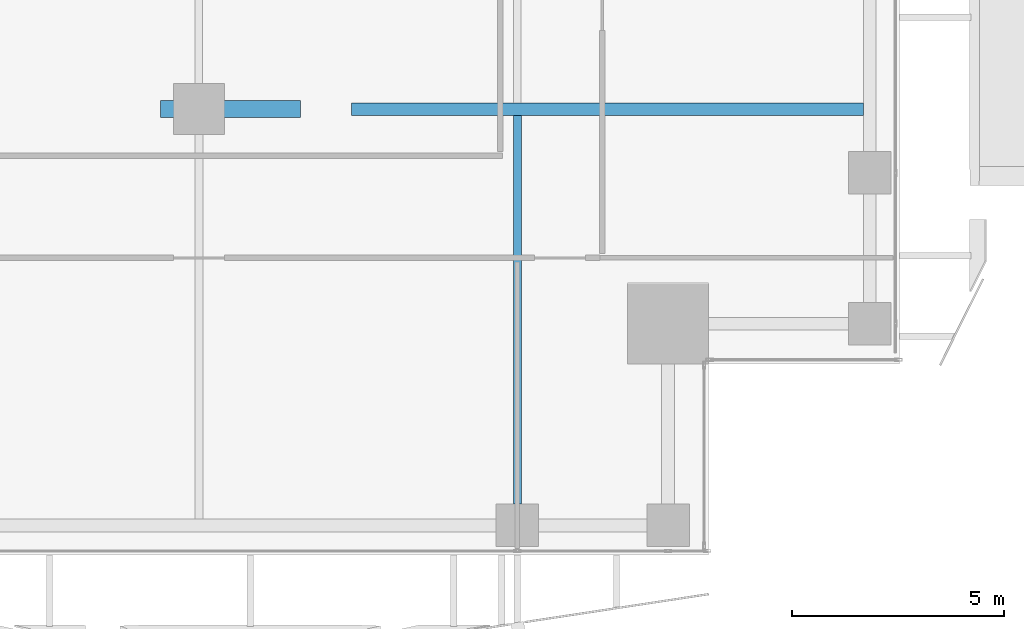
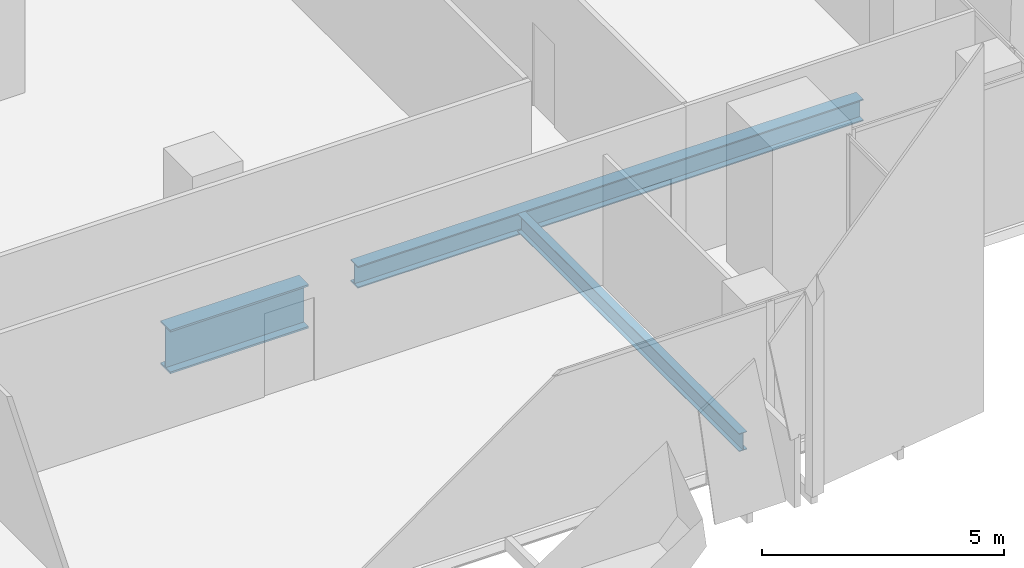
# One storey, part 10 of 35: 3 beams.
"""IFC4 building model written with IfcOpenShell, lengths in metres."""

import ifcopenshell
import ifcopenshell.guid

model = None  # the IFC model being written
_history = None  # IfcOwnerHistory: only IFC2X3 demands one
_inside = {}  # id of a spatial element -> (the spatial element, [elements in it])
_under = {}  # id of a project, library or spatial element -> (it, [spatial elements below it])
_declared = {}  # id of a project -> (the project, [libraries it declares])
_typed = {}  # id of a type object -> (the type object, [elements of that type])
_made_of = {}  # id of a material, layer set ... -> (it, [elements and type objects made of it])


def new_model(schema):
    """Start an empty IFC model of exactly this schema.

    Asked for "IFC4X3", IfcOpenShell would pick the latest addendum, in which some entities
    have other attributes; the version numbers below select the first issue.
    IFC2X3 requires an IfcOwnerHistory on every rooted entity: one is made here for all.
    """
    global model, _history
    if schema == "IFC4X3":
        model = ifcopenshell.file(schema_version=(4, 3, 0, 0))
    else:
        model = ifcopenshell.file(schema=schema)
    _inside.clear()
    _under.clear()
    _declared.clear()
    _typed.clear()
    _made_of.clear()
    _history = None
    if model.schema == "IFC2X3":
        org = make("IfcOrganization", Name="unknown")
        user = make(
            "IfcPersonAndOrganization",
            ThePerson=make("IfcPerson", FamilyName="unknown"),
            TheOrganization=org,
        )
        app = make(
            "IfcApplication",
            ApplicationDeveloper=org,
            Version="unknown",
            ApplicationFullName="unknown",
            ApplicationIdentifier="unknown",
        )
        _history = make(
            "IfcOwnerHistory",
            OwningUser=user,
            OwningApplication=app,
            ChangeAction="ADDED",
            CreationDate=0,
        )
    return model


def make(cls, **values):
    """One entity of the class cls with the attributes given. An attribute that is None is left unset."""
    return model.create_entity(
        cls, **{name: value for name, value in values.items() if value is not None}
    )


def rooted(cls, **values):
    """An entity with a GlobalId (a new one), such as an element, a storey or a relation."""
    return make(cls, GlobalId=ifcopenshell.guid.new(), OwnerHistory=_history, **values)


def si_unit(unit_type, name, prefix=None):
    """IfcSIUnit, for example si_unit("LENGTHUNIT", "METRE", prefix="MILLI")."""
    return make("IfcSIUnit", UnitType=unit_type, Prefix=prefix, Name=name)


def assignment(units):
    """IfcUnitAssignment: the units of a project."""
    return None if units is None else make("IfcUnitAssignment", Units=units)


def point(xyz):
    """IfcCartesianPoint."""
    return None if xyz is None else make("IfcCartesianPoint", Coordinates=xyz)


def direction(xyz):
    """IfcDirection."""
    return None if xyz is None else make("IfcDirection", DirectionRatios=xyz)


def frame(location, z_axis=None, x_axis=None):
    """IfcAxis2Placement3D, a coordinate frame: its origin and axes. An axis left out is left unset."""
    return make(
        "IfcAxis2Placement3D",
        Location=point(location),
        Axis=direction(z_axis),
        RefDirection=direction(x_axis),
    )


def frame_2d(location, x_axis=None):
    """IfcAxis2Placement2D, a coordinate frame in the plane: its origin and x axis."""
    return make(
        "IfcAxis2Placement2D", Location=point(location), RefDirection=direction(x_axis)
    )


def origin():
    """The frame at (0, 0, 0) with its axes left unset."""
    return frame((0.0, 0.0, 0.0))


def origin_2d():
    """The frame at (0, 0) in the plane with its x axis left unset."""
    return frame_2d((0.0, 0.0))


def place(relative_to, where):
    """IfcLocalPlacement: puts the frame where relative to a parent placement (None: the world)."""
    return make(
        "IfcLocalPlacement", PlacementRelTo=relative_to, RelativePlacement=where
    )


def context(
    kind, dimensions, precision=None, world=None, true_north=None, identifier=None
):
    """IfcGeometricRepresentationContext, for example the 3D "Model" context."""
    return make(
        "IfcGeometricRepresentationContext",
        ContextIdentifier=identifier,
        ContextType=kind,
        CoordinateSpaceDimension=dimensions,
        Precision=precision,
        WorldCoordinateSystem=world,
        TrueNorth=true_north,
    )


def subcontext(parent, identifier, kind, view, scale=None):
    """IfcGeometricRepresentationSubContext, for example "Body" below "Model"."""
    return make(
        "IfcGeometricRepresentationSubContext",
        ContextIdentifier=identifier,
        ContextType=kind,
        ParentContext=parent,
        TargetScale=scale,
        TargetView=view,
    )


def project(units=None, contexts=None):
    """IfcProject with its units and contexts."""
    return rooted(
        "IfcProject",
        Name="project",
        RepresentationContexts=contexts,
        UnitsInContext=assignment(units),
    )


def spatial(cls, under=None, at=None, **own):
    """A site, building, storey or space (cls), placed at a placement, below another one or the project."""
    s = rooted(cls, ObjectPlacement=at, **own)
    if under is not None:
        _under.setdefault(under.id(), (under, []))[1].append(s)
    return s


def profile(cls, at=None, kind="AREA", **sizes):
    """A parametric profile (cls). Its sizes go by their IFC names, for example OverallWidth=200.0."""
    return make(cls, ProfileType=kind, Position=at, **sizes)


def i_section(**sizes):
    """IfcIShapeProfileDef."""
    return profile("IfcIShapeProfileDef", **sizes)


def extrude(swept, where, along, depth):
    """IfcExtrudedAreaSolid: the profile swept, set in the frame where, extruded along a direction by depth."""
    return make(
        "IfcExtrudedAreaSolid",
        SweptArea=swept,
        Position=where,
        ExtrudedDirection=direction(along),
        Depth=depth,
    )


def shape(context_of_items, identifier, shape_type, items):
    """IfcShapeRepresentation: the items that make up one representation, for example the "Body"."""
    return make(
        "IfcShapeRepresentation",
        ContextOfItems=context_of_items,
        RepresentationIdentifier=identifier,
        RepresentationType=shape_type,
        Items=items,
    )


def source(mapping_origin, context_of_items, identifier, shape_type, items):
    """IfcRepresentationMap: a shape defined once, which mapped items show again and again."""
    return make(
        "IfcRepresentationMap",
        MappingOrigin=mapping_origin,
        MappedRepresentation=shape(context_of_items, identifier, shape_type, items),
    )


def transform(
    local_origin,
    x_axis=None,
    y_axis=None,
    z_axis=None,
    scale=None,
    scale2=None,
    scale3=None,
    uniform=True,
):
    """IfcCartesianTransformationOperator3D, or its non-uniform kind. x_axis, y_axis, z_axis: its Axis1, 2, 3."""
    if uniform:
        return make(
            "IfcCartesianTransformationOperator3D",
            Axis1=direction(x_axis),
            Axis2=direction(y_axis),
            LocalOrigin=point(local_origin),
            Scale=scale,
            Axis3=direction(z_axis),
        )
    return make(
        "IfcCartesianTransformationOperator3DnonUniform",
        Axis1=direction(x_axis),
        Axis2=direction(y_axis),
        LocalOrigin=point(local_origin),
        Scale=scale,
        Axis3=direction(z_axis),
        Scale2=scale2,
        Scale3=scale3,
    )


def mapped(mapping_source, mapping_target):
    """IfcMappedItem: shows the shape of a source again, moved by a transform."""
    return make(
        "IfcMappedItem", MappingSource=mapping_source, MappingTarget=mapping_target
    )


def material(Name=None, Category=None):
    """IfcMaterial."""
    return make("IfcMaterial", Name=Name, Category=Category)


def material_profile(
    of_material, cross_section, Name=None, Category=None, Priority=None
):
    """IfcMaterialProfile: a cross section and its material."""
    return make(
        "IfcMaterialProfile",
        Name=Name,
        Material=of_material,
        Profile=cross_section,
        Priority=Priority,
        Category=Category,
    )


def profile_set(profiles, Name=None, composite=None):
    """IfcMaterialProfileSet."""
    return make(
        "IfcMaterialProfileSet",
        Name=Name,
        MaterialProfiles=profiles,
        CompositeProfile=composite,
    )


def made_of(thing, what):
    """Note that an element or type object is made of a material, layer set ...; save() writes the relation."""
    if what is not None:
        _made_of.setdefault(what.id(), (what, []))[1].append(thing)
    return thing


def type_object(cls, material=None, **own):
    """A type object (cls), such as IfcWallType, which elements share."""
    return made_of(rooted(cls, **own), material)


def element(
    cls,
    number,
    at=None,
    inside=None,
    cuts=None,
    type_object=None,
    material=None,
    context=None,
    identifier="Body",
    shape_type=None,
    held_by="IfcProductDefinitionShape",
    body=None,
    shapes=None,
    **own,
):
    """One element of the class cls, such as IfcWall. Its Tag is "e" and its number.

    at: its placement. inside: the storey or other place that contains it. cuts: it is an
    opening in that element (IfcRelVoidsElement). A single representation is given by context,
    identifier, shape_type and body (its items); several are given by shapes. held_by: the class
    of the entity that holds the representations. save() writes the other relations.
    """
    e = rooted(cls, Tag="e%d" % number, ObjectPlacement=at, **own)
    if body is not None:
        shapes = [shape(context, identifier, shape_type, body)]
    if shapes is not None:
        e.Representation = make(held_by, Representations=shapes)
    if inside is not None:
        _inside.setdefault(inside.id(), (inside, []))[1].append(e)
    if cuts is not None:
        rooted(
            "IfcRelVoidsElement", RelatingBuildingElement=cuts, RelatedOpeningElement=e
        )
    if type_object is not None:
        _typed.setdefault(type_object.id(), (type_object, []))[1].append(e)
    return made_of(e, material)


def aggregate(whole, parts):
    """IfcRelAggregates: a whole, such as a stair, and the parts it consists of."""
    return rooted("IfcRelAggregates", RelatingObject=whole, RelatedObjects=parts)


def save(model, path):
    """Write the relations noted so far, then the file.

    IfcRelAggregates (storeys below a building ...), IfcRelContainedInSpatialStructure (elements
    in a storey), IfcRelDefinesByType, IfcRelAssociatesMaterial and IfcRelDeclares: one each for
    every whole, place, type object, material and project.
    """
    for whole, parts in _under.values():
        aggregate(whole, parts)
    for where, things in _inside.values():
        rooted(
            "IfcRelContainedInSpatialStructure",
            RelatedElements=things,
            RelatingStructure=where,
        )
    for kind, things in _typed.values():
        rooted("IfcRelDefinesByType", RelatedObjects=things, RelatingType=kind)
    for what, things in _made_of.values():
        rooted("IfcRelAssociatesMaterial", RelatedObjects=things, RelatingMaterial=what)
    for by, libraries in _declared.values():
        rooted("IfcRelDeclares", RelatingContext=by, RelatedDefinitions=libraries)
    model.write(path)


model = new_model("IFC4")

# Units and contexts
model_context = context("Model", 3, precision=1e-05, world=origin(), true_north=direction((0.0, 1.0)))
body_context = subcontext(model_context, "Body", "Model", "MODEL_VIEW")
ifc_project = project(units=[si_unit("LENGTHUNIT", "METRE"), si_unit("AREAUNIT", "SQUARE_METRE"), si_unit("VOLUMEUNIT", "CUBIC_METRE"), si_unit("PLANEANGLEUNIT", "RADIAN"), si_unit("MASSUNIT", "GRAM", prefix="KILO")], contexts=[model_context])

# Site, building, storey
site_placement = place(None, origin())
site = spatial("IfcSite", under=ifc_project, at=site_placement, CompositionType="ELEMENT")
building_placement = place(site_placement, origin())
building = spatial("IfcBuilding", under=site, at=building_placement, Name="Khomas Fold Tower", CompositionType="ELEMENT")
storey_placement = place(building_placement, frame((0.0, 0.0, 188.699951171875)))
storey = spatial("IfcBuildingStorey", under=building, at=storey_placement, Name="L41", CompositionType="ELEMENT", Elevation=188.699951171875)

# Beams
ifc_material_1 = material(Name="Steel S355", Category="steel")
ifc_material_profile_1 = material_profile(ifc_material_1, i_section(OverallWidth=0.300048828125, OverallDepth=0.550048828125, WebThickness=0.014892578125, FlangeThickness=0.029052734375, at=origin_2d()), Name="HE 550 B")
ifc_profile_set_1 = profile_set([ifc_material_profile_1], Name="Steel S355")
beam_type_1 = type_object("IfcBeamType", Name="HE 550 B beam GB4", PredefinedType="BEAM", material=ifc_profile_set_1)
shared_shape_1 = source(origin(), body_context, "Body", "SweptSolid", [
    extrude(i_section(OverallWidth=0.300048828125, OverallDepth=0.550048828125, WebThickness=0.014892578125, FlangeThickness=0.029052734375, at=origin_2d()), origin(), (0.0, 0.0, 1.0), 12.0498046875),
])
beam_1_placement = place(storey_placement, frame((38.10009765625, 13.5, -0.52490234375), z_axis=(1.0, 0.0, 0.0), x_axis=(0.0, 1.0, 0.0)))
element("IfcBeam", 1, at=beam_1_placement, inside=storey, type_object=beam_type_1, Name="GB4", PredefinedType="BEAM", context=body_context, shape_type="MappedRepresentation", body=[
    mapped(shared_shape_1, transform((0.0, 0.0, 0.0))),
])
ifc_material_2 = material(Name="Steel S355", Category="steel")
ifc_material_profile_2 = material_profile(ifc_material_2, i_section(OverallWidth=0.18994140625, OverallDepth=0.449951171875, WebThickness=0.009521484375, FlangeThickness=0.0146484375, at=origin_2d()), Name="IPE 450")
ifc_profile_set_2 = profile_set([ifc_material_profile_2], Name="Steel S355")
beam_type_2 = type_object("IfcBeamType", Name="IPE 450 beam JB4", PredefinedType="BEAM", material=ifc_profile_set_2)
shared_shape_2 = source(origin(), body_context, "Body", "SweptSolid", [
    extrude(i_section(OverallWidth=0.18994140625, OverallDepth=0.449951171875, WebThickness=0.009521484375, FlangeThickness=0.0146484375, at=origin_2d()), origin(), (0.0, 0.0, 1.0), 9.150146484375),
])
beam_2_placement = place(storey_placement, frame((42.0, 4.199951171875, -0.474853515625), z_axis=(0.0, 1.0, 0.0), x_axis=(-1.0, 0.0, 0.0)))
element("IfcBeam", 2, at=beam_2_placement, inside=storey, type_object=beam_type_2, Name="JB4", PredefinedType="BEAM", context=body_context, shape_type="MappedRepresentation", body=[
    mapped(shared_shape_2, transform((0.0, 0.0, 0.0))),
])
ifc_material_3 = material(Name="Steel S460M", Category="steel")
ifc_material_profile_3 = material_profile(ifc_material_3, i_section(OverallWidth=0.39990234375, OverallDepth=1.10009765625, WebThickness=0.02197265625, FlangeThickness=0.044921875, at=origin_2d()), Name="PG 1100x400")
ifc_profile_set_3 = profile_set([ifc_material_profile_3], Name="Steel S460M")
beam_type_3 = type_object("IfcBeamType", Name="PG 1100x400 beam TG1", PredefinedType="BEAM", material=ifc_profile_set_3)
shared_shape_3 = source(origin(), body_context, "Body", "SweptSolid", [
    extrude(i_section(OverallWidth=0.39990234375, OverallDepth=1.10009765625, WebThickness=0.02197265625, FlangeThickness=0.044921875, at=origin_2d()), origin(), (0.0, 0.0, 1.0), 3.2998046875),
])
beam_3_placement = place(storey_placement, frame((33.60009765625, 13.5, -0.800048828125), z_axis=(1.0, 0.0, 0.0), x_axis=(0.0, 1.0, 0.0)))
element("IfcBeam", 3, at=beam_3_placement, inside=storey, type_object=beam_type_3, Name="TG1", PredefinedType="BEAM", context=body_context, shape_type="MappedRepresentation", body=[
    mapped(shared_shape_3, transform((0.0, 0.0, 0.0))),
])

save(model, "model.ifc")
